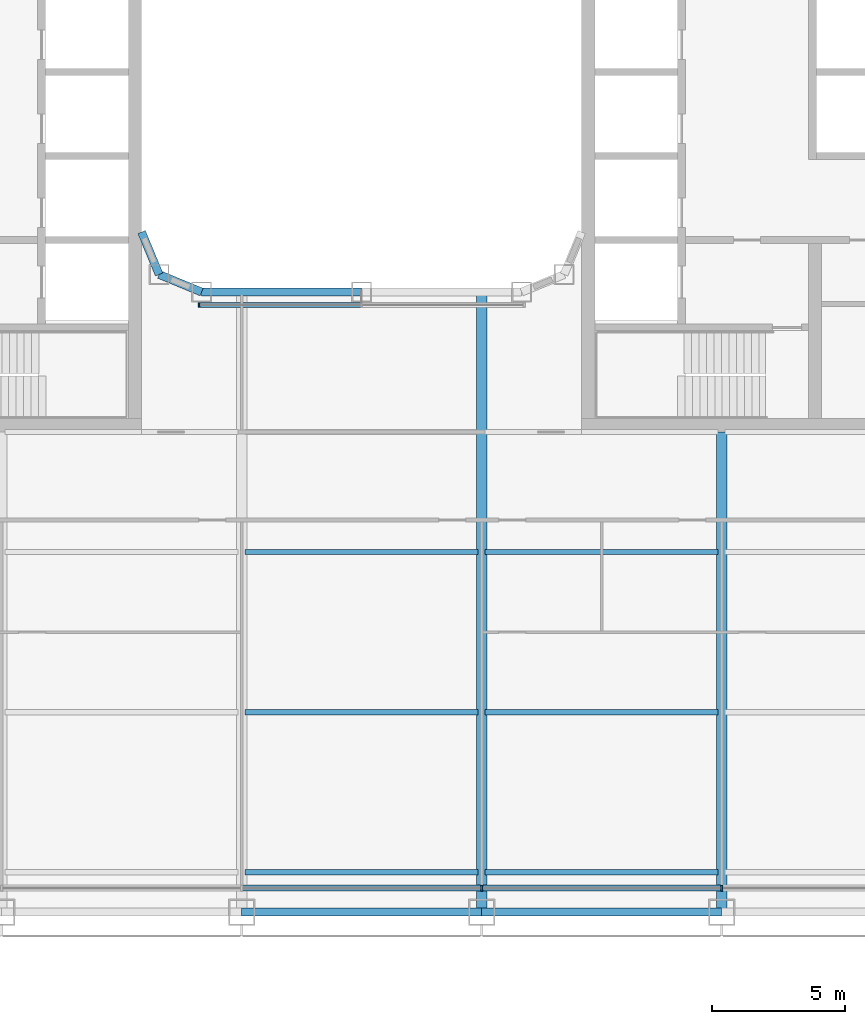
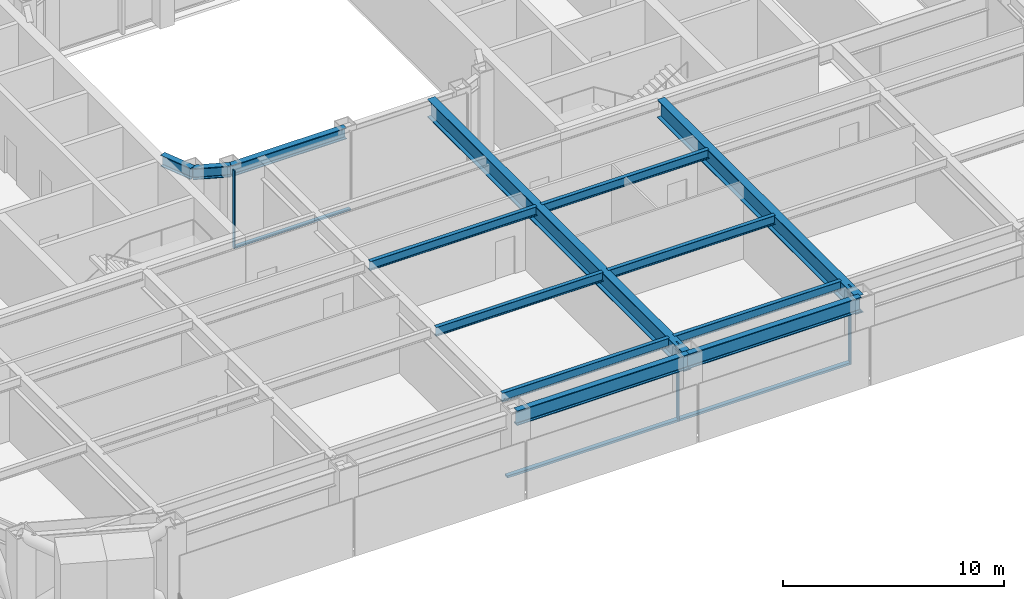
# One storey, part 3 of 27: 13 beams, 6 members, 2 elements without a shape of their own.
"""IFC4 building model written with IfcOpenShell, lengths in metres."""

from ifc_helpers import new_model, si_unit, direction, frame, origin, origin_2d, place, context, subcontext, project, spatial, rectangle, i_section, extrude, material, layer, layer_set, material_profile, profile_set, type_object, element, aggregate, save


model = new_model("IFC4")

# Units and contexts
model_context = context("Model", 3, precision=1e-05, world=origin(), true_north=direction((0.0, 1.0)))
body_context = subcontext(model_context, "Body", "Model", "MODEL_VIEW")
ifc_project = project(units=[si_unit("LENGTHUNIT", "METRE"), si_unit("AREAUNIT", "SQUARE_METRE"), si_unit("VOLUMEUNIT", "CUBIC_METRE"), si_unit("PLANEANGLEUNIT", "RADIAN"), si_unit("MASSUNIT", "GRAM", prefix="KILO")], contexts=[model_context])

# Site, building, storey
site_placement = place(None, origin())
site = spatial("IfcSite", under=ifc_project, at=site_placement, CompositionType="ELEMENT")
building_placement = place(site_placement, origin())
building = spatial("IfcBuilding", under=site, at=building_placement, Name="Siwar Civic Tower", CompositionType="ELEMENT")
storey_placement = place(building_placement, frame((0.0, 0.0, 89.699951171875)))
storey = spatial("IfcBuildingStorey", under=building, at=storey_placement, Name="L19", CompositionType="ELEMENT", Elevation=89.699951171875)

# Curtain wall, members
ifc_material_1 = material(Name="Aluminium and glass", Category="aluminium")
ifc_layer_1 = layer(ifc_material_1, 0.219970703125)
ifc_layer_set_1 = layer_set([ifc_layer_1], Name="Aluminium and glass")
curtain_wall_type_1 = type_object("IfcCurtainWallType", Name="ENV-CW-A", PredefinedType="NOTDEFINED", material=ifc_layer_set_1)
curtain_wall_1_placement = place(storey_placement, origin())
curtain_wall_1 = element("IfcCurtainWall", 1, at=curtain_wall_1_placement, inside=storey, type_object=curtain_wall_type_1, Name="Curtain wall A S", PredefinedType="NOTDEFINED")
ifc_material_2 = material(Name="Aluminium 6063-T6", Category="aluminium")
ifc_material_profile_1 = material_profile(ifc_material_2, rectangle(XDim=0.219970703125, YDim=0.070068359375, at=origin_2d()), Name="AL 220x70")
ifc_profile_set_1 = profile_set([ifc_material_profile_1], Name="Aluminium 6063-T6")
member_type_1 = type_object("IfcMemberType", Name="ENV-MULLION-A", PredefinedType="MULLION", material=ifc_profile_set_1)
member_1_placement = place(storey_placement, frame((4.5, -30.60009765625, 0.0), z_axis=(0.0, 0.0, 1.0), x_axis=(0.0, 1.0, 0.0)))
member_1 = element("IfcMember", 2, at=member_1_placement, type_object=member_type_1, Name="Mullion A S 4", PredefinedType="MULLION", context=body_context, shape_type="SweptSolid", body=[
    extrude(rectangle(XDim=0.219970703125, YDim=0.070068359375, at=origin_2d()), origin(), (0.0, 0.0, 1.0), 4.300048828125),
])
member_2_placement = place(storey_placement, frame((13.5, -30.60009765625, 0.0), z_axis=(0.0, 0.0, 1.0), x_axis=(0.0, 1.0, 0.0)))
member_2 = element("IfcMember", 3, at=member_2_placement, type_object=member_type_1, Name="Mullion A S 5", PredefinedType="MULLION", context=body_context, shape_type="SweptSolid", body=[
    extrude(rectangle(XDim=0.219970703125, YDim=0.070068359375, at=origin_2d()), origin(), (0.0, 0.0, 1.0), 4.300048828125),
])

# Curtain wall, member
ifc_material_3 = material(Name="Aluminium and glass", Category="aluminium")
ifc_layer_2 = layer(ifc_material_3, 0.179931640625)
ifc_layer_set_2 = layer_set([ifc_layer_2], Name="Aluminium and glass")
curtain_wall_type_2 = type_object("IfcCurtainWallType", Name="ENV-CW-W", PredefinedType="NOTDEFINED", material=ifc_layer_set_2)
curtain_wall_2_placement = place(storey_placement, origin())
curtain_wall_2 = element("IfcCurtainWall", 4, at=curtain_wall_2_placement, inside=storey, type_object=curtain_wall_type_2, Name="Curtain wall W WS", PredefinedType="NOTDEFINED")
ifc_material_4 = material(Name="Aluminium 6063-T6", Category="aluminium")
ifc_material_profile_2 = material_profile(ifc_material_4, rectangle(XDim=0.179931640625, YDim=0.06005859375, at=origin_2d()), Name="AL 180x60")
ifc_profile_set_2 = profile_set([ifc_material_profile_2], Name="Aluminium 6063-T6")
member_type_2 = type_object("IfcMemberType", Name="ENV-MULLION-W", PredefinedType="MULLION", material=ifc_profile_set_2)
member_3_placement = place(storey_placement, frame((-6.096435546875, -8.735107421875, 0.0), z_axis=(0.0, 0.0, 1.0), x_axis=(0.0, 1.0, 0.0)))
member_3 = element("IfcMember", 5, at=member_3_placement, type_object=member_type_2, Name="Mullion W WS 1", PredefinedType="MULLION", context=body_context, shape_type="SweptSolid", body=[
    extrude(rectangle(XDim=0.179931640625, YDim=0.06005859375, at=origin_2d()), origin(), (0.0, 0.0, 1.0), 4.300048828125),
])

# Member
ifc_material_5 = material(Name="Aluminium 6063-T6", Category="aluminium")
ifc_material_profile_3 = material_profile(ifc_material_5, rectangle(XDim=0.219970703125, YDim=0.1201171875, at=origin_2d()), Name="AL 220x120")
ifc_profile_set_3 = profile_set([ifc_material_profile_3], Name="Aluminium 6063-T6")
member_type_3 = type_object("IfcMemberType", Name="ENV-TRANSOM-A", PredefinedType="USERDEFINED", material=ifc_profile_set_3)
member_4_placement = place(storey_placement, frame((-4.465087890625, -30.60009765625, 0.06005859375), z_axis=(1.0, 0.0, 0.0), x_axis=(0.0, 1.0, 0.0)))
member_4 = element("IfcMember", 6, at=member_4_placement, type_object=member_type_3, Name="Transom A S 3", ObjectType="TRANSOM", PredefinedType="USERDEFINED", context=body_context, shape_type="SweptSolid", body=[
    extrude(rectangle(XDim=0.219970703125, YDim=0.1201171875, at=origin_2d()), origin(), (0.0, 0.0, 1.0), 8.93017578125),
])

member_5_placement = place(storey_placement, frame((4.534912109375, -30.60009765625, 0.06005859375), z_axis=(1.0, 0.0, 0.0), x_axis=(0.0, 1.0, 0.0)))
member_5 = element("IfcMember", 7, at=member_5_placement, type_object=member_type_3, Name="Transom A S 4", ObjectType="TRANSOM", PredefinedType="USERDEFINED", context=body_context, shape_type="SweptSolid", body=[
    extrude(rectangle(XDim=0.219970703125, YDim=0.1201171875, at=origin_2d()), origin(), (0.0, 0.0, 1.0), 8.93017578125),
])

aggregate(curtain_wall_1, [member_1, member_2, member_4, member_5])

ifc_material_6 = material(Name="Aluminium 6063-T6", Category="aluminium")
ifc_material_profile_4 = material_profile(ifc_material_6, rectangle(XDim=0.179931640625, YDim=0.10009765625, at=origin_2d()), Name="AL 180x100")
ifc_profile_set_4 = profile_set([ifc_material_profile_4], Name="Aluminium 6063-T6")
member_type_4 = type_object("IfcMemberType", Name="ENV-TRANSOM-W", PredefinedType="USERDEFINED", material=ifc_profile_set_4)
member_6_placement = place(storey_placement, frame((-6.06640625, -8.735107421875, 0.050048828125), z_axis=(1.0, 0.0, 0.0), x_axis=(0.0, 1.0, 0.0)))
member_6 = element("IfcMember", 8, at=member_6_placement, type_object=member_type_4, Name="Transom W WS 1", ObjectType="TRANSOM", PredefinedType="USERDEFINED", context=body_context, shape_type="SweptSolid", body=[
    extrude(rectangle(XDim=0.179931640625, YDim=0.10009765625, at=origin_2d()), origin(), (0.0, 0.0, 1.0), 6.036376953125),
])

aggregate(curtain_wall_2, [member_3, member_6])

# Beams
ifc_material_7 = material(Name="Steel S355", Category="steel")
ifc_material_profile_5 = material_profile(ifc_material_7, i_section(OverallWidth=0.199951171875, OverallDepth=0.5, WebThickness=0.01025390625, FlangeThickness=0.01611328125, FilletRadius=0.02099609375, at=origin_2d()), Name="IPE500")
ifc_profile_set_5 = profile_set([ifc_material_profile_5], Name="Steel S355")
beam_type_1 = type_object("IfcBeamType", Name="STR-FB-IPE500", PredefinedType="JOIST", material=ifc_profile_set_5)
for number, where, z_axis, x_axis, name in (
    (9, (-4.3701171875, -30.0, 4.050048828125), (1.0, 0.0, 0.0), (0.0, 1.0, 0.0), "L19/bm/F004"),
    (10, (4.6298828125, -30.0, 4.050048828125), (1.0, 0.0, 0.0), (0.0, 1.0, 0.0), "L19/bm/F005"),
    (11, (-4.3701171875, -24.0, 4.050048828125), (1.0, 0.0, 0.0), (0.0, 1.0, 0.0), "L19/bm/F011"),
    (12, (4.6298828125, -24.0, 4.050048828125), (1.0, 0.0, 0.0), (0.0, 1.0, 0.0), "L19/bm/F012"),
    (13, (-4.3701171875, -18.0, 4.050048828125), (1.0, 0.0, 0.0), (0.0, 1.0, 0.0), "L19/bm/F018"),
    (14, (4.6298828125, -18.0, 4.050048828125), (1.0, 0.0, 0.0), (0.0, 1.0, 0.0), "L19/bm/F019"),
):
    element("IfcBeam", number, at=place(storey_placement, frame(where, z_axis=z_axis, x_axis=x_axis)), inside=storey, type_object=beam_type_1, Name=name, PredefinedType="JOIST", context=body_context, shape_type="SweptSolid", body=[
        extrude(i_section(OverallWidth=0.199951171875, OverallDepth=0.5, WebThickness=0.01025390625, FlangeThickness=0.01611328125, FilletRadius=0.02099609375, at=origin_2d()), origin(), (0.0, 0.0, 1.0), 8.740234375),
    ])
ifc_material_8 = material(Name="Steel S355", Category="steel")
ifc_material_profile_6 = material_profile(ifc_material_8, i_section(OverallWidth=0.39990234375, OverallDepth=1.0, WebThickness=0.01611328125, FlangeThickness=0.0400390625, at=origin_2d()), Name="PG1000x400x16x40")
ifc_profile_set_6 = profile_set([ifc_material_profile_6], Name="Steel S355")
beam_type_2 = type_object("IfcBeamType", Name="STR-PG-PG1000x400x16x40", PredefinedType="BEAM", material=ifc_profile_set_6)
beam_1_placement = place(storey_placement, frame((4.5, -31.5, 3.800048828125), z_axis=(0.0, 1.0, 0.0), x_axis=(-1.0, 0.0, 0.0)))
element("IfcBeam", 15, at=beam_1_placement, inside=storey, type_object=beam_type_2, Name="L19/bm/G07", PredefinedType="BEAM", context=body_context, shape_type="SweptSolid", body=[
    extrude(i_section(OverallWidth=0.39990234375, OverallDepth=1.0, WebThickness=0.01611328125, FlangeThickness=0.0400390625, at=origin_2d()), origin(), (0.0, 0.0, 1.0), 23.25),
])
beam_2_placement = place(storey_placement, frame((13.5, -31.5, 3.800048828125), z_axis=(0.0, 1.0, 0.0), x_axis=(-1.0, 0.0, 0.0)))
element("IfcBeam", 16, at=beam_2_placement, inside=storey, type_object=beam_type_2, Name="L19/bm/G09", PredefinedType="BEAM", context=body_context, shape_type="SweptSolid", body=[
    extrude(i_section(OverallWidth=0.39990234375, OverallDepth=1.0, WebThickness=0.01611328125, FlangeThickness=0.0400390625, at=origin_2d()), origin(), (0.0, 0.0, 1.0), 18.0),
])
ifc_material_9 = material(Name="Steel S355", Category="steel")
ifc_material_profile_7 = material_profile(ifc_material_9, i_section(OverallWidth=0.304931640625, OverallDepth=0.6201171875, WebThickness=0.02099609375, FlangeThickness=0.0400390625, FilletRadius=0.027099609375, at=origin_2d()), Name="HEM600")
ifc_profile_set_7 = profile_set([ifc_material_profile_7], Name="Steel S355")
beam_type_3 = type_object("IfcBeamType", Name="STR-RB-HEM600", PredefinedType="BEAM", material=ifc_profile_set_7)
beam_3_placement = place(storey_placement, frame((-7.591064453125, -7.591064453125, 3.989990234375), z_axis=(0.923901072997, -0.382631424892, 0.0), x_axis=(0.382631424892, 0.923901072997, 0.0)))
element("IfcBeam", 17, at=beam_3_placement, inside=storey, type_object=beam_type_3, Name="L19/bm/RS0", PredefinedType="BEAM", context=body_context, shape_type="SweptSolid", body=[
    extrude(i_section(OverallWidth=0.304931640625, OverallDepth=0.6201171875, WebThickness=0.02099609375, FlangeThickness=0.0400390625, FilletRadius=0.027099609375, at=origin_2d()), origin(), (0.0, 0.0, 1.0), 1.72216796875),
])
beam_4_placement = place(storey_placement, frame((-6.0, -8.25, 3.989990234375), z_axis=(1.0, 0.0, 0.0), x_axis=(0.0, 1.0, 0.0)))
element("IfcBeam", 18, at=beam_4_placement, inside=storey, type_object=beam_type_3, Name="L19/bm/RS1", PredefinedType="BEAM", context=body_context, shape_type="SweptSolid", body=[
    extrude(i_section(OverallWidth=0.304931640625, OverallDepth=0.6201171875, WebThickness=0.02099609375, FlangeThickness=0.0400390625, FilletRadius=0.027099609375, at=origin_2d()), origin(), (0.0, 0.0, 1.0), 6.0),
])
beam_5_placement = place(storey_placement, frame((-7.591064453125, -7.591064453125, 3.989990234375), z_axis=(-0.382631424892, 0.923901072997, 0.0), x_axis=(-0.923901072997, -0.382631424892, 0.0)))
element("IfcBeam", 19, at=beam_5_placement, inside=storey, type_object=beam_type_3, Name="L19/bm/RSEW", PredefinedType="BEAM", context=body_context, shape_type="SweptSolid", body=[
    extrude(i_section(OverallWidth=0.304931640625, OverallDepth=0.6201171875, WebThickness=0.02099609375, FlangeThickness=0.0400390625, FilletRadius=0.027099609375, at=origin_2d()), origin(), (0.0, 0.0, 1.0), 1.72216796875),
])
ifc_material_10 = material(Name="Steel S355", Category="steel")
ifc_material_profile_8 = material_profile(ifc_material_10, i_section(OverallWidth=0.302978515625, OverallDepth=0.81396484375, WebThickness=0.02099609375, FlangeThickness=0.0400390625, FilletRadius=0.030029296875, at=origin_2d()), Name="HEM800")
ifc_profile_set_8 = profile_set([ifc_material_profile_8], Name="Steel S355")
beam_type_4 = type_object("IfcBeamType", Name="STR-SB-HEM800", PredefinedType="BEAM", material=ifc_profile_set_8)
for number, where, z_axis, x_axis, name in (
    (20, (-4.5, -31.5, 3.89306640625), (1.0, 0.0, 0.0), (0.0, 1.0, 0.0), "L19/bm/SS-2"),
    (21, (4.5, -31.5, 3.89306640625), (1.0, 0.0, 0.0), (0.0, 1.0, 0.0), "L19/bm/SS-3"),
):
    element("IfcBeam", number, at=place(storey_placement, frame(where, z_axis=z_axis, x_axis=x_axis)), inside=storey, type_object=beam_type_4, Name=name, PredefinedType="BEAM", context=body_context, shape_type="SweptSolid", body=[
        extrude(i_section(OverallWidth=0.302978515625, OverallDepth=0.81396484375, WebThickness=0.02099609375, FlangeThickness=0.0400390625, FilletRadius=0.030029296875, at=origin_2d()), origin(), (0.0, 0.0, 1.0), 9.0),
    ])

save(model, "model.ifc")
